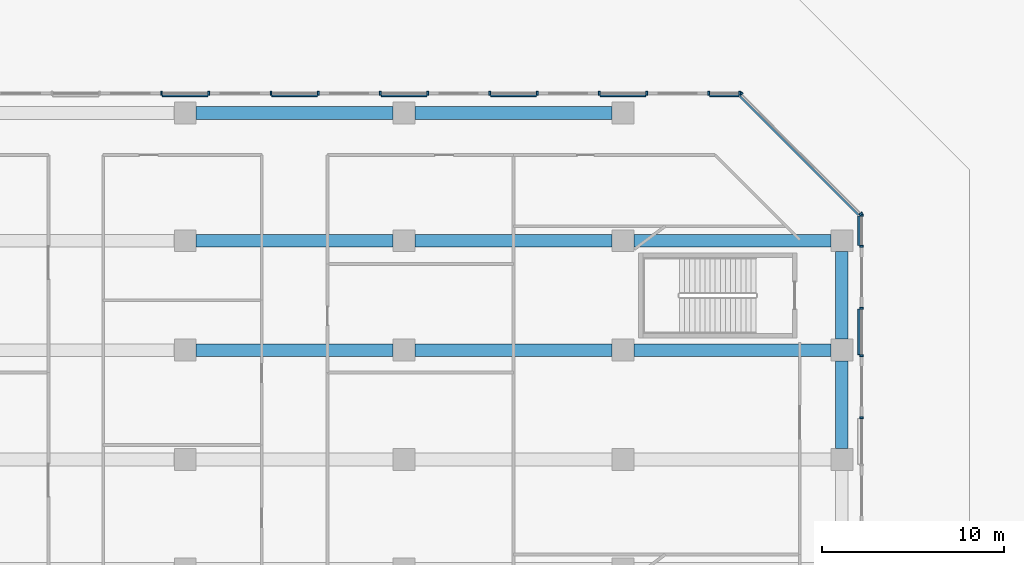
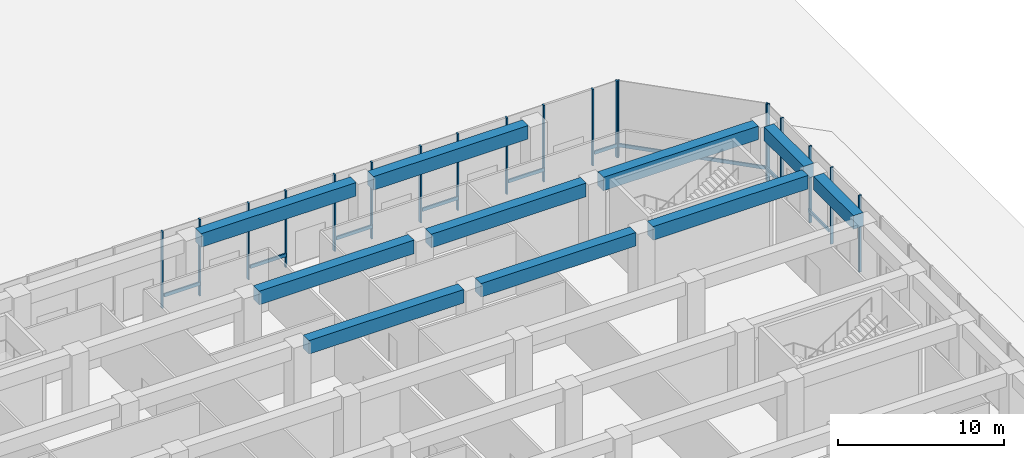
# One storey, part 12 of 32: 28 members, 10 beams, 10 elements without a shape of their own.
"""IFC4 building model written with IfcOpenShell, lengths in metres."""

from ifc_helpers import new_model, si_unit, direction, frame, origin, origin_2d, place, context, subcontext, project, spatial, rectangle, extrude, material, layer, layer_set, material_profile, profile_set, type_object, element, aggregate, save


model = new_model("IFC4")

# Units and contexts
model_context = context("Model", 3, precision=1e-05, world=origin(), true_north=direction((0.0, 1.0)))
body_context = subcontext(model_context, "Body", "Model", "MODEL_VIEW")
ifc_project = project(units=[si_unit("LENGTHUNIT", "METRE"), si_unit("AREAUNIT", "SQUARE_METRE"), si_unit("VOLUMEUNIT", "CUBIC_METRE"), si_unit("PLANEANGLEUNIT", "RADIAN"), si_unit("MASSUNIT", "GRAM", prefix="KILO")], contexts=[model_context])

# Site, building, storey
site_placement = place(None, origin())
site = spatial("IfcSite", under=ifc_project, at=site_placement, CompositionType="ELEMENT")
building_placement = place(site_placement, origin())
building = spatial("IfcBuilding", under=site, at=building_placement, Name="Welwitschia Terrace Campus", CompositionType="ELEMENT")
storey_placement = place(building_placement, origin())
storey = spatial("IfcBuildingStorey", under=building, at=storey_placement, Name="L00", CompositionType="ELEMENT", Elevation=0.0)

# Beams
ifc_material_1 = material(Name="Concrete C60/75", Category="concrete")
ifc_material_profile_1 = material_profile(ifc_material_1, rectangle(XDim=0.699951171875, YDim=1.0, at=origin_2d()))
ifc_profile_set_1 = profile_set([ifc_material_profile_1], Name="Concrete C60/75")
beam_type = type_object("IfcBeamType", Name="Base block beam 700x1000", PredefinedType="BEAM", material=ifc_profile_set_1)
for number, where, z_axis, x_axis, name in (
    (1, (60.6005859375, 56.0, 5.14990234375), (1.0, 0.0, 0.0), (0.0, 1.0, 0.0), "Beam BB1"),
    (2, (72.6005859375, 56.0, 5.14990234375), (1.0, 0.0, 0.0), (0.0, 1.0, 0.0), "Beam BB1"),
    (3, (84.6005859375, 56.0, 5.14990234375), (1.0, 0.0, 0.0), (0.0, 1.0, 0.0), "Beam BB1"),
    (4, (60.6005859375, 62.0, 5.14990234375), (1.0, 0.0, 0.0), (0.0, 1.0, 0.0), "Beam BB1"),
    (5, (72.6005859375, 62.0, 5.14990234375), (1.0, 0.0, 0.0), (0.0, 1.0, 0.0), "Beam BB1"),
    (6, (84.6005859375, 62.0, 5.14990234375), (1.0, 0.0, 0.0), (0.0, 1.0, 0.0), "Beam BB1"),
    (7, (60.6005859375, 69.0, 5.14990234375), (1.0, 0.0, 0.0), (0.0, 1.0, 0.0), "Beam BB1"),
    (8, (72.6005859375, 69.0, 5.14990234375), (1.0, 0.0, 0.0), (0.0, 1.0, 0.0), "Beam BB1"),
):
    element("IfcBeam", number, at=place(storey_placement, frame(where, z_axis=z_axis, x_axis=x_axis)), inside=storey, type_object=beam_type, Name=name, PredefinedType="BEAM", context=body_context, shape_type="SweptSolid", body=[
        extrude(rectangle(XDim=0.699951171875, YDim=1.0, at=origin_2d()), origin(), (0.0, 0.0, 1.0), 10.798828125),
    ])
for number, where, z_axis, x_axis, name in (
    (9, (96.0, 50.6005859375, 5.14990234375), (0.0, 1.0, 0.0), (-1.0, 0.0, 0.0), "Beam BB1"),
    (10, (96.0, 56.6005859375, 5.14990234375), (0.0, 1.0, 0.0), (-1.0, 0.0, 0.0), "Beam BB1"),
):
    element("IfcBeam", number, at=place(storey_placement, frame(where, z_axis=z_axis, x_axis=x_axis)), inside=storey, type_object=beam_type, Name=name, PredefinedType="BEAM", context=body_context, shape_type="SweptSolid", body=[
        extrude(rectangle(XDim=0.699951171875, YDim=1.0, at=origin_2d()), origin(), (0.0, 0.0, 1.0), 4.798828125),
    ])

# Curtain wall, member
ifc_material_2 = material(Name="Bronze anodised aluminium", Category="aluminium")
ifc_layer = layer(ifc_material_2, 0.199951171875)
ifc_layer_set = layer_set([ifc_layer], Name="Bronze anodised aluminium")
curtain_wall_type = type_object("IfcCurtainWallType", Name="Curtain wall CW4 arcade shopfront 7500", PredefinedType="NOTDEFINED", material=ifc_layer_set)
curtain_wall_1_placement = place(storey_placement, origin())
curtain_wall_1 = element("IfcCurtainWall", 11, at=curtain_wall_1_placement, inside=storey, type_object=curtain_wall_type, Name="CW L00.2.g7", PredefinedType="NOTDEFINED")
ifc_material_3 = material(Name="Bronze anodised aluminium", Category="aluminium")
ifc_material_profile_2 = material_profile(ifc_material_3, rectangle(XDim=0.199951171875, YDim=0.10009765625, at=origin_2d()))
ifc_profile_set_2 = profile_set([ifc_material_profile_2], Name="Bronze anodised aluminium")
member_type_1 = type_object("IfcMemberType", Name="Mullion 100x200", PredefinedType="MULLION", material=ifc_profile_set_2)
member_1_placement = place(storey_placement, frame((97.0849609375, 52.300048828125, 0.0), z_axis=(0.0, 0.0, 1.0), x_axis=(-1.0, 0.0, 0.0)))
member_1 = element("IfcMember", 12, at=member_1_placement, type_object=member_type_1, Name="Mullion L00.2.g7.1", PredefinedType="MULLION", context=body_context, shape_type="SweptSolid", body=[
    extrude(rectangle(XDim=0.199951171875, YDim=0.10009765625, at=origin_2d()), origin(), (0.0, 0.0, 1.0), 5.64990234375),
])
aggregate(curtain_wall_1, [member_1])

# Curtain wall, members
curtain_wall_2_placement = place(storey_placement, origin())
curtain_wall_2 = element("IfcCurtainWall", 13, at=curtain_wall_2_placement, inside=storey, type_object=curtain_wall_type, Name="CW L00.2.g8", PredefinedType="NOTDEFINED")
member_2_placement = place(storey_placement, frame((97.0849609375, 55.699951171875, 0.0), z_axis=(0.0, 0.0, 1.0), x_axis=(-1.0, 0.0, 0.0)))
member_2 = element("IfcMember", 14, at=member_2_placement, type_object=member_type_1, Name="Mullion L00.2.g8.0", PredefinedType="MULLION", context=body_context, shape_type="SweptSolid", body=[
    extrude(rectangle(XDim=0.199951171875, YDim=0.10009765625, at=origin_2d()), origin(), (0.0, 0.0, 1.0), 5.64990234375),
])
member_3_placement = place(storey_placement, frame((97.0849609375, 58.300048828125, 0.0), z_axis=(0.0, 0.0, 1.0), x_axis=(-1.0, 0.0, 0.0)))
member_3 = element("IfcMember", 15, at=member_3_placement, type_object=member_type_1, Name="Mullion L00.2.g8.1", PredefinedType="MULLION", context=body_context, shape_type="SweptSolid", body=[
    extrude(rectangle(XDim=0.199951171875, YDim=0.10009765625, at=origin_2d()), origin(), (0.0, 0.0, 1.0), 5.64990234375),
])

curtain_wall_3_placement = place(storey_placement, origin())
curtain_wall_3 = element("IfcCurtainWall", 16, at=curtain_wall_3_placement, inside=storey, type_object=curtain_wall_type, Name="CW L00.2.g9", PredefinedType="NOTDEFINED")
member_4_placement = place(storey_placement, frame((97.0849609375, 61.699951171875, 0.0), z_axis=(0.0, 0.0, 1.0), x_axis=(-1.0, 0.0, 0.0)))
member_4 = element("IfcMember", 17, at=member_4_placement, type_object=member_type_1, Name="Mullion L00.2.g9.0", PredefinedType="MULLION", context=body_context, shape_type="SweptSolid", body=[
    extrude(rectangle(XDim=0.199951171875, YDim=0.10009765625, at=origin_2d()), origin(), (0.0, 0.0, 1.0), 5.64990234375),
])
member_5_placement = place(storey_placement, frame((97.0849609375, 63.3994140625, 0.0), z_axis=(0.0, 0.0, 1.0), x_axis=(-1.0, 0.0, 0.0)))
member_5 = element("IfcMember", 18, at=member_5_placement, type_object=member_type_1, Name="Mullion L00.2.g9.1", PredefinedType="MULLION", context=body_context, shape_type="SweptSolid", body=[
    extrude(rectangle(XDim=0.199951171875, YDim=0.10009765625, at=origin_2d()), origin(), (0.0, 0.0, 1.0), 5.64990234375),
])

curtain_wall_4_placement = place(storey_placement, origin())
curtain_wall_4 = element("IfcCurtainWall", 19, at=curtain_wall_4_placement, inside=storey, type_object=curtain_wall_type, Name="CW L00.3.g0", PredefinedType="NOTDEFINED")
member_6_placement = place(storey_placement, frame((97.049560546875, 63.48486328125, 0.0), z_axis=(0.0, 0.0, 1.0), x_axis=(-0.707106781187, -0.707106781187, 0.0)))
member_6 = element("IfcMember", 20, at=member_6_placement, type_object=member_type_1, Name="Mullion L00.3.g0.0", PredefinedType="MULLION", context=body_context, shape_type="SweptSolid", body=[
    extrude(rectangle(XDim=0.199951171875, YDim=0.10009765625, at=origin_2d()), origin(), (0.0, 0.0, 1.0), 5.64990234375),
])
member_7_placement = place(storey_placement, frame((90.48486328125, 70.049560546875, 0.0), z_axis=(0.0, 0.0, 1.0), x_axis=(-0.707106781187, -0.707106781187, 0.0)))
member_7 = element("IfcMember", 21, at=member_7_placement, type_object=member_type_1, Name="Mullion L00.3.g0.1", PredefinedType="MULLION", context=body_context, shape_type="SweptSolid", body=[
    extrude(rectangle(XDim=0.199951171875, YDim=0.10009765625, at=origin_2d()), origin(), (0.0, 0.0, 1.0), 5.64990234375),
])

curtain_wall_5_placement = place(storey_placement, origin())
curtain_wall_5 = element("IfcCurtainWall", 22, at=curtain_wall_5_placement, inside=storey, type_object=curtain_wall_type, Name="CW L00.4.g0", PredefinedType="NOTDEFINED")
member_8_placement = place(storey_placement, frame((90.3994140625, 70.0849609375, 0.0), z_axis=(0.0, 0.0, 1.0), x_axis=(0.0, -1.0, 0.0)))
member_8 = element("IfcMember", 23, at=member_8_placement, type_object=member_type_1, Name="Mullion L00.4.g0.0", PredefinedType="MULLION", context=body_context, shape_type="SweptSolid", body=[
    extrude(rectangle(XDim=0.199951171875, YDim=0.10009765625, at=origin_2d()), origin(), (0.0, 0.0, 1.0), 5.64990234375),
])
member_9_placement = place(storey_placement, frame((88.699951171875, 70.0849609375, 0.0), z_axis=(0.0, 0.0, 1.0), x_axis=(0.0, -1.0, 0.0)))
member_9 = element("IfcMember", 24, at=member_9_placement, type_object=member_type_1, Name="Mullion L00.4.g0.1", PredefinedType="MULLION", context=body_context, shape_type="SweptSolid", body=[
    extrude(rectangle(XDim=0.199951171875, YDim=0.10009765625, at=origin_2d()), origin(), (0.0, 0.0, 1.0), 5.64990234375),
])

curtain_wall_6_placement = place(storey_placement, origin())
curtain_wall_6 = element("IfcCurtainWall", 25, at=curtain_wall_6_placement, inside=storey, type_object=curtain_wall_type, Name="CW L00.4.g1", PredefinedType="NOTDEFINED")
member_10_placement = place(storey_placement, frame((85.300048828125, 70.0849609375, 0.0), z_axis=(0.0, 0.0, 1.0), x_axis=(0.0, -1.0, 0.0)))
member_10 = element("IfcMember", 26, at=member_10_placement, type_object=member_type_1, Name="Mullion L00.4.g1.0", PredefinedType="MULLION", context=body_context, shape_type="SweptSolid", body=[
    extrude(rectangle(XDim=0.199951171875, YDim=0.10009765625, at=origin_2d()), origin(), (0.0, 0.0, 1.0), 5.64990234375),
])
member_11_placement = place(storey_placement, frame((82.699951171875, 70.0849609375, 0.0), z_axis=(0.0, 0.0, 1.0), x_axis=(0.0, -1.0, 0.0)))
member_11 = element("IfcMember", 27, at=member_11_placement, type_object=member_type_1, Name="Mullion L00.4.g1.1", PredefinedType="MULLION", context=body_context, shape_type="SweptSolid", body=[
    extrude(rectangle(XDim=0.199951171875, YDim=0.10009765625, at=origin_2d()), origin(), (0.0, 0.0, 1.0), 5.64990234375),
])

curtain_wall_7_placement = place(storey_placement, origin())
curtain_wall_7 = element("IfcCurtainWall", 28, at=curtain_wall_7_placement, inside=storey, type_object=curtain_wall_type, Name="CW L00.4.g2", PredefinedType="NOTDEFINED")
member_12_placement = place(storey_placement, frame((79.300048828125, 70.0849609375, 0.0), z_axis=(0.0, 0.0, 1.0), x_axis=(0.0, -1.0, 0.0)))
member_12 = element("IfcMember", 29, at=member_12_placement, type_object=member_type_1, Name="Mullion L00.4.g2.0", PredefinedType="MULLION", context=body_context, shape_type="SweptSolid", body=[
    extrude(rectangle(XDim=0.199951171875, YDim=0.10009765625, at=origin_2d()), origin(), (0.0, 0.0, 1.0), 5.64990234375),
])
member_13_placement = place(storey_placement, frame((76.699951171875, 70.0849609375, 0.0), z_axis=(0.0, 0.0, 1.0), x_axis=(0.0, -1.0, 0.0)))
member_13 = element("IfcMember", 30, at=member_13_placement, type_object=member_type_1, Name="Mullion L00.4.g2.1", PredefinedType="MULLION", context=body_context, shape_type="SweptSolid", body=[
    extrude(rectangle(XDim=0.199951171875, YDim=0.10009765625, at=origin_2d()), origin(), (0.0, 0.0, 1.0), 5.64990234375),
])

curtain_wall_8_placement = place(storey_placement, origin())
curtain_wall_8 = element("IfcCurtainWall", 31, at=curtain_wall_8_placement, inside=storey, type_object=curtain_wall_type, Name="CW L00.4.g3", PredefinedType="NOTDEFINED")
member_14_placement = place(storey_placement, frame((73.300048828125, 70.0849609375, 0.0), z_axis=(0.0, 0.0, 1.0), x_axis=(0.0, -1.0, 0.0)))
member_14 = element("IfcMember", 32, at=member_14_placement, type_object=member_type_1, Name="Mullion L00.4.g3.0", PredefinedType="MULLION", context=body_context, shape_type="SweptSolid", body=[
    extrude(rectangle(XDim=0.199951171875, YDim=0.10009765625, at=origin_2d()), origin(), (0.0, 0.0, 1.0), 5.64990234375),
])
member_15_placement = place(storey_placement, frame((70.699951171875, 70.0849609375, 0.0), z_axis=(0.0, 0.0, 1.0), x_axis=(0.0, -1.0, 0.0)))
member_15 = element("IfcMember", 33, at=member_15_placement, type_object=member_type_1, Name="Mullion L00.4.g3.1", PredefinedType="MULLION", context=body_context, shape_type="SweptSolid", body=[
    extrude(rectangle(XDim=0.199951171875, YDim=0.10009765625, at=origin_2d()), origin(), (0.0, 0.0, 1.0), 5.64990234375),
])

curtain_wall_9_placement = place(storey_placement, origin())
curtain_wall_9 = element("IfcCurtainWall", 34, at=curtain_wall_9_placement, inside=storey, type_object=curtain_wall_type, Name="CW L00.4.g4", PredefinedType="NOTDEFINED")
member_16_placement = place(storey_placement, frame((67.300048828125, 70.0849609375, 0.0), z_axis=(0.0, 0.0, 1.0), x_axis=(0.0, -1.0, 0.0)))
member_16 = element("IfcMember", 35, at=member_16_placement, type_object=member_type_1, Name="Mullion L00.4.g4.0", PredefinedType="MULLION", context=body_context, shape_type="SweptSolid", body=[
    extrude(rectangle(XDim=0.199951171875, YDim=0.10009765625, at=origin_2d()), origin(), (0.0, 0.0, 1.0), 5.64990234375),
])
member_17_placement = place(storey_placement, frame((64.699951171875, 70.0849609375, 0.0), z_axis=(0.0, 0.0, 1.0), x_axis=(0.0, -1.0, 0.0)))
member_17 = element("IfcMember", 36, at=member_17_placement, type_object=member_type_1, Name="Mullion L00.4.g4.1", PredefinedType="MULLION", context=body_context, shape_type="SweptSolid", body=[
    extrude(rectangle(XDim=0.199951171875, YDim=0.10009765625, at=origin_2d()), origin(), (0.0, 0.0, 1.0), 5.64990234375),
])

curtain_wall_10_placement = place(storey_placement, origin())
curtain_wall_10 = element("IfcCurtainWall", 37, at=curtain_wall_10_placement, inside=storey, type_object=curtain_wall_type, Name="CW L00.4.g5", PredefinedType="NOTDEFINED")
member_18_placement = place(storey_placement, frame((61.300048828125, 70.0849609375, 0.0), z_axis=(0.0, 0.0, 1.0), x_axis=(0.0, -1.0, 0.0)))
member_18 = element("IfcMember", 38, at=member_18_placement, type_object=member_type_1, Name="Mullion L00.4.g5.0", PredefinedType="MULLION", context=body_context, shape_type="SweptSolid", body=[
    extrude(rectangle(XDim=0.199951171875, YDim=0.10009765625, at=origin_2d()), origin(), (0.0, 0.0, 1.0), 5.64990234375),
])
member_19_placement = place(storey_placement, frame((58.699951171875, 70.0849609375, 0.0), z_axis=(0.0, 0.0, 1.0), x_axis=(0.0, -1.0, 0.0)))
member_19 = element("IfcMember", 39, at=member_19_placement, type_object=member_type_1, Name="Mullion L00.4.g5.1", PredefinedType="MULLION", context=body_context, shape_type="SweptSolid", body=[
    extrude(rectangle(XDim=0.199951171875, YDim=0.10009765625, at=origin_2d()), origin(), (0.0, 0.0, 1.0), 5.64990234375),
])

# Member
ifc_material_4 = material(Name="Bronze anodised aluminium", Category="aluminium")
ifc_material_profile_3 = material_profile(ifc_material_4, rectangle(XDim=0.10009765625, YDim=0.25, at=origin_2d()))
ifc_profile_set_3 = profile_set([ifc_material_profile_3], Name="Bronze anodised aluminium")
member_type_2 = type_object("IfcMemberType", Name="Transom 100x250", PredefinedType="USERDEFINED", material=ifc_profile_set_3)
member_20_placement = place(storey_placement, frame((96.93505859375, 55.75, 1.0), z_axis=(0.0, 1.0, 0.0), x_axis=(-1.0, 0.0, 0.0)))
member_20 = element("IfcMember", 40, at=member_20_placement, type_object=member_type_2, Name="Transom L00.2.g8", ObjectType="TRANSOM", PredefinedType="USERDEFINED", context=body_context, shape_type="SweptSolid", body=[
    extrude(rectangle(XDim=0.10009765625, YDim=0.25, at=origin_2d()), origin(), (0.0, 0.0, 1.0), 2.5),
])

aggregate(curtain_wall_2, [member_2, member_3, member_20])

member_21_placement = place(storey_placement, frame((96.93505859375, 61.75, 1.0), z_axis=(0.0, 1.0, 0.0), x_axis=(-1.0, 0.0, 0.0)))
member_21 = element("IfcMember", 41, at=member_21_placement, type_object=member_type_2, Name="Transom L00.2.g9", ObjectType="TRANSOM", PredefinedType="USERDEFINED", context=body_context, shape_type="SweptSolid", body=[
    extrude(rectangle(XDim=0.10009765625, YDim=0.25, at=origin_2d()), origin(), (0.0, 0.0, 1.0), 1.599365234375),
])

aggregate(curtain_wall_3, [member_4, member_5, member_21])

member_22_placement = place(storey_placement, frame((96.908203125, 63.4140625, 1.0), z_axis=(-0.707106781187, 0.707106781187, 0.0), x_axis=(-0.707106781187, -0.707106781187, 0.0)))
member_22 = element("IfcMember", 42, at=member_22_placement, type_object=member_type_2, Name="Transom L00.3.g0", ObjectType="TRANSOM", PredefinedType="USERDEFINED", context=body_context, shape_type="SweptSolid", body=[
    extrude(rectangle(XDim=0.10009765625, YDim=0.25, at=origin_2d()), origin(), (0.0, 0.0, 1.0), 9.18408203125),
])

aggregate(curtain_wall_4, [member_6, member_7, member_22])

member_23_placement = place(storey_placement, frame((90.349365234375, 69.93505859375, 1.0), z_axis=(-1.0, 0.0, 0.0), x_axis=(0.0, -1.0, 0.0)))
member_23 = element("IfcMember", 43, at=member_23_placement, type_object=member_type_2, Name="Transom L00.4.g0", ObjectType="TRANSOM", PredefinedType="USERDEFINED", context=body_context, shape_type="SweptSolid", body=[
    extrude(rectangle(XDim=0.10009765625, YDim=0.25, at=origin_2d()), origin(), (0.0, 0.0, 1.0), 1.599365234375),
])

aggregate(curtain_wall_5, [member_8, member_9, member_23])

member_24_placement = place(storey_placement, frame((85.25, 69.93505859375, 1.0), z_axis=(-1.0, 0.0, 0.0), x_axis=(0.0, -1.0, 0.0)))
member_24 = element("IfcMember", 44, at=member_24_placement, type_object=member_type_2, Name="Transom L00.4.g1", ObjectType="TRANSOM", PredefinedType="USERDEFINED", context=body_context, shape_type="SweptSolid", body=[
    extrude(rectangle(XDim=0.10009765625, YDim=0.25, at=origin_2d()), origin(), (0.0, 0.0, 1.0), 2.5),
])

aggregate(curtain_wall_6, [member_10, member_11, member_24])

member_25_placement = place(storey_placement, frame((79.25, 69.93505859375, 1.0), z_axis=(-1.0, 0.0, 0.0), x_axis=(0.0, -1.0, 0.0)))
member_25 = element("IfcMember", 45, at=member_25_placement, type_object=member_type_2, Name="Transom L00.4.g2", ObjectType="TRANSOM", PredefinedType="USERDEFINED", context=body_context, shape_type="SweptSolid", body=[
    extrude(rectangle(XDim=0.10009765625, YDim=0.25, at=origin_2d()), origin(), (0.0, 0.0, 1.0), 2.5),
])

aggregate(curtain_wall_7, [member_12, member_13, member_25])

member_26_placement = place(storey_placement, frame((73.25, 69.93505859375, 1.0), z_axis=(-1.0, 0.0, 0.0), x_axis=(0.0, -1.0, 0.0)))
member_26 = element("IfcMember", 46, at=member_26_placement, type_object=member_type_2, Name="Transom L00.4.g3", ObjectType="TRANSOM", PredefinedType="USERDEFINED", context=body_context, shape_type="SweptSolid", body=[
    extrude(rectangle(XDim=0.10009765625, YDim=0.25, at=origin_2d()), origin(), (0.0, 0.0, 1.0), 2.5),
])

aggregate(curtain_wall_8, [member_14, member_15, member_26])

member_27_placement = place(storey_placement, frame((67.25, 69.93505859375, 1.0), z_axis=(-1.0, 0.0, 0.0), x_axis=(0.0, -1.0, 0.0)))
member_27 = element("IfcMember", 47, at=member_27_placement, type_object=member_type_2, Name="Transom L00.4.g4", ObjectType="TRANSOM", PredefinedType="USERDEFINED", context=body_context, shape_type="SweptSolid", body=[
    extrude(rectangle(XDim=0.10009765625, YDim=0.25, at=origin_2d()), origin(), (0.0, 0.0, 1.0), 2.5),
])

aggregate(curtain_wall_9, [member_16, member_17, member_27])

member_28_placement = place(storey_placement, frame((61.25, 69.93505859375, 1.0), z_axis=(-1.0, 0.0, 0.0), x_axis=(0.0, -1.0, 0.0)))
member_28 = element("IfcMember", 48, at=member_28_placement, type_object=member_type_2, Name="Transom L00.4.g5", ObjectType="TRANSOM", PredefinedType="USERDEFINED", context=body_context, shape_type="SweptSolid", body=[
    extrude(rectangle(XDim=0.10009765625, YDim=0.25, at=origin_2d()), origin(), (0.0, 0.0, 1.0), 2.5),
])

aggregate(curtain_wall_10, [member_18, member_19, member_28])

save(model, "model.ifc")
